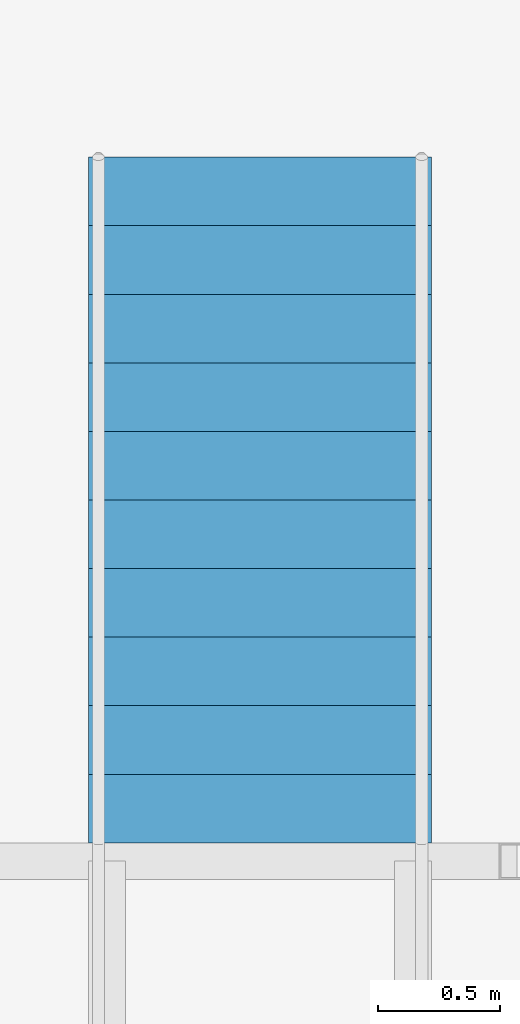
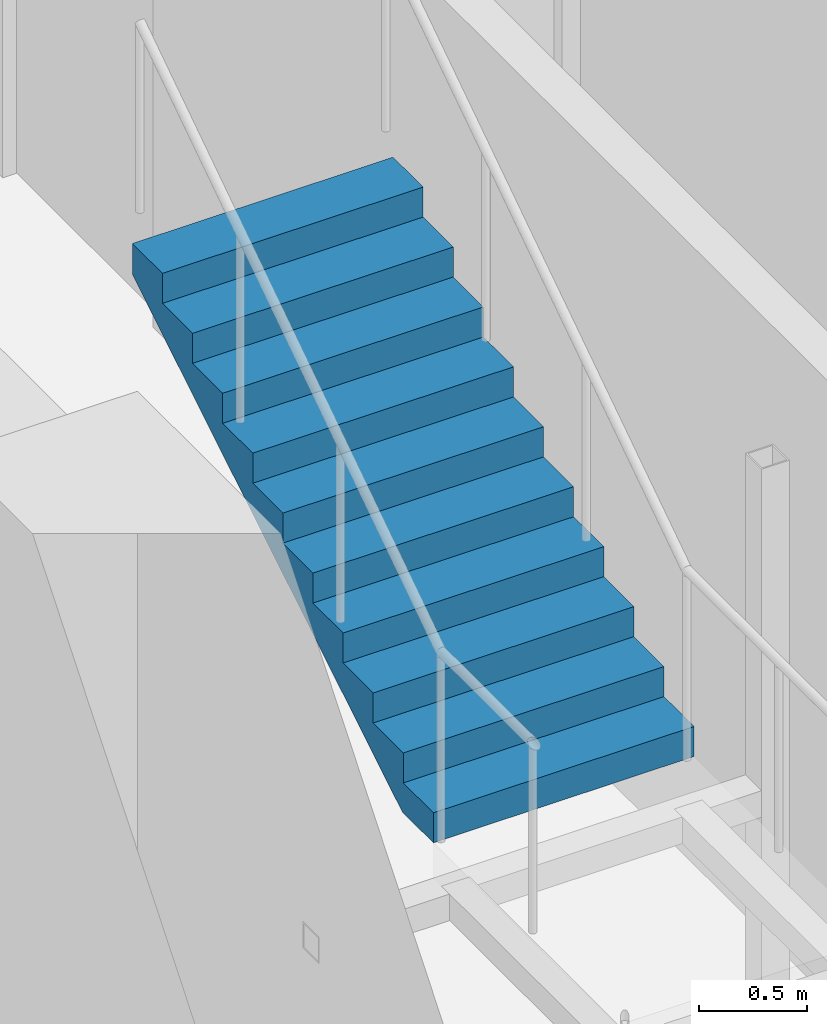
# One storey, part 25 of 28: 1 stair flight, 1 element without a shape of its own.
"""IFC4 building model written with IfcOpenShell, lengths in metres."""

import ifcopenshell
import ifcopenshell.guid

model = None  # the IFC model being written
_history = None  # IfcOwnerHistory: only IFC2X3 demands one
_inside = {}  # id of a spatial element -> (the spatial element, [elements in it])
_under = {}  # id of a project, library or spatial element -> (it, [spatial elements below it])
_declared = {}  # id of a project -> (the project, [libraries it declares])
_typed = {}  # id of a type object -> (the type object, [elements of that type])
_made_of = {}  # id of a material, layer set ... -> (it, [elements and type objects made of it])


def new_model(schema):
    """Start an empty IFC model of exactly this schema.

    Asked for "IFC4X3", IfcOpenShell would pick the latest addendum, in which some entities
    have other attributes; the version numbers below select the first issue.
    IFC2X3 requires an IfcOwnerHistory on every rooted entity: one is made here for all.
    """
    global model, _history
    if schema == "IFC4X3":
        model = ifcopenshell.file(schema_version=(4, 3, 0, 0))
    else:
        model = ifcopenshell.file(schema=schema)
    _inside.clear()
    _under.clear()
    _declared.clear()
    _typed.clear()
    _made_of.clear()
    _history = None
    if model.schema == "IFC2X3":
        org = make("IfcOrganization", Name="unknown")
        user = make(
            "IfcPersonAndOrganization",
            ThePerson=make("IfcPerson", FamilyName="unknown"),
            TheOrganization=org,
        )
        app = make(
            "IfcApplication",
            ApplicationDeveloper=org,
            Version="unknown",
            ApplicationFullName="unknown",
            ApplicationIdentifier="unknown",
        )
        _history = make(
            "IfcOwnerHistory",
            OwningUser=user,
            OwningApplication=app,
            ChangeAction="ADDED",
            CreationDate=0,
        )
    return model


def make(cls, **values):
    """One entity of the class cls with the attributes given. An attribute that is None is left unset."""
    return model.create_entity(
        cls, **{name: value for name, value in values.items() if value is not None}
    )


def rooted(cls, **values):
    """An entity with a GlobalId (a new one), such as an element, a storey or a relation."""
    return make(cls, GlobalId=ifcopenshell.guid.new(), OwnerHistory=_history, **values)


def si_unit(unit_type, name, prefix=None):
    """IfcSIUnit, for example si_unit("LENGTHUNIT", "METRE", prefix="MILLI")."""
    return make("IfcSIUnit", UnitType=unit_type, Prefix=prefix, Name=name)


def assignment(units):
    """IfcUnitAssignment: the units of a project."""
    return None if units is None else make("IfcUnitAssignment", Units=units)


def point(xyz):
    """IfcCartesianPoint."""
    return None if xyz is None else make("IfcCartesianPoint", Coordinates=xyz)


def direction(xyz):
    """IfcDirection."""
    return None if xyz is None else make("IfcDirection", DirectionRatios=xyz)


def frame(location, z_axis=None, x_axis=None):
    """IfcAxis2Placement3D, a coordinate frame: its origin and axes. An axis left out is left unset."""
    return make(
        "IfcAxis2Placement3D",
        Location=point(location),
        Axis=direction(z_axis),
        RefDirection=direction(x_axis),
    )


def origin():
    """The frame at (0, 0, 0) with its axes left unset."""
    return frame((0.0, 0.0, 0.0))


def place(relative_to, where):
    """IfcLocalPlacement: puts the frame where relative to a parent placement (None: the world)."""
    return make(
        "IfcLocalPlacement", PlacementRelTo=relative_to, RelativePlacement=where
    )


def context(
    kind, dimensions, precision=None, world=None, true_north=None, identifier=None
):
    """IfcGeometricRepresentationContext, for example the 3D "Model" context."""
    return make(
        "IfcGeometricRepresentationContext",
        ContextIdentifier=identifier,
        ContextType=kind,
        CoordinateSpaceDimension=dimensions,
        Precision=precision,
        WorldCoordinateSystem=world,
        TrueNorth=true_north,
    )


def subcontext(parent, identifier, kind, view, scale=None):
    """IfcGeometricRepresentationSubContext, for example "Body" below "Model"."""
    return make(
        "IfcGeometricRepresentationSubContext",
        ContextIdentifier=identifier,
        ContextType=kind,
        ParentContext=parent,
        TargetScale=scale,
        TargetView=view,
    )


def project(units=None, contexts=None):
    """IfcProject with its units and contexts."""
    return rooted(
        "IfcProject",
        Name="project",
        RepresentationContexts=contexts,
        UnitsInContext=assignment(units),
    )


def spatial(cls, under=None, at=None, **own):
    """A site, building, storey or space (cls), placed at a placement, below another one or the project."""
    s = rooted(cls, ObjectPlacement=at, **own)
    if under is not None:
        _under.setdefault(under.id(), (under, []))[1].append(s)
    return s


def point_list(points):
    """IfcCartesianPointList2D or 3D."""
    cls = (
        "IfcCartesianPointList2D" if len(points[0]) == 2 else "IfcCartesianPointList3D"
    )
    return make(cls, CoordList=points)


def triangles(points, corners, closed=None, point_numbers=None):
    """IfcTriangulatedFaceSet: each triangle names its three corners, points numbered from 1."""
    return make(
        "IfcTriangulatedFaceSet",
        Coordinates=point_list(points),
        Closed=closed,
        CoordIndex=corners,
        PnIndex=point_numbers,
    )


def shape(context_of_items, identifier, shape_type, items):
    """IfcShapeRepresentation: the items that make up one representation, for example the "Body"."""
    return make(
        "IfcShapeRepresentation",
        ContextOfItems=context_of_items,
        RepresentationIdentifier=identifier,
        RepresentationType=shape_type,
        Items=items,
    )


def material(Name=None, Category=None):
    """IfcMaterial."""
    return make("IfcMaterial", Name=Name, Category=Category)


def made_of(thing, what):
    """Note that an element or type object is made of a material, layer set ...; save() writes the relation."""
    if what is not None:
        _made_of.setdefault(what.id(), (what, []))[1].append(thing)
    return thing


def type_object(cls, material=None, **own):
    """A type object (cls), such as IfcWallType, which elements share."""
    return made_of(rooted(cls, **own), material)


def element(
    cls,
    number,
    at=None,
    inside=None,
    cuts=None,
    type_object=None,
    material=None,
    context=None,
    identifier="Body",
    shape_type=None,
    held_by="IfcProductDefinitionShape",
    body=None,
    shapes=None,
    **own,
):
    """One element of the class cls, such as IfcWall. Its Tag is "e" and its number.

    at: its placement. inside: the storey or other place that contains it. cuts: it is an
    opening in that element (IfcRelVoidsElement). A single representation is given by context,
    identifier, shape_type and body (its items); several are given by shapes. held_by: the class
    of the entity that holds the representations. save() writes the other relations.
    """
    e = rooted(cls, Tag="e%d" % number, ObjectPlacement=at, **own)
    if body is not None:
        shapes = [shape(context, identifier, shape_type, body)]
    if shapes is not None:
        e.Representation = make(held_by, Representations=shapes)
    if inside is not None:
        _inside.setdefault(inside.id(), (inside, []))[1].append(e)
    if cuts is not None:
        rooted(
            "IfcRelVoidsElement", RelatingBuildingElement=cuts, RelatedOpeningElement=e
        )
    if type_object is not None:
        _typed.setdefault(type_object.id(), (type_object, []))[1].append(e)
    return made_of(e, material)


def aggregate(whole, parts):
    """IfcRelAggregates: a whole, such as a stair, and the parts it consists of."""
    return rooted("IfcRelAggregates", RelatingObject=whole, RelatedObjects=parts)


def save(model, path):
    """Write the relations noted so far, then the file.

    IfcRelAggregates (storeys below a building ...), IfcRelContainedInSpatialStructure (elements
    in a storey), IfcRelDefinesByType, IfcRelAssociatesMaterial and IfcRelDeclares: one each for
    every whole, place, type object, material and project.
    """
    for whole, parts in _under.values():
        aggregate(whole, parts)
    for where, things in _inside.values():
        rooted(
            "IfcRelContainedInSpatialStructure",
            RelatedElements=things,
            RelatingStructure=where,
        )
    for kind, things in _typed.values():
        rooted("IfcRelDefinesByType", RelatedObjects=things, RelatingType=kind)
    for what, things in _made_of.values():
        rooted("IfcRelAssociatesMaterial", RelatedObjects=things, RelatingMaterial=what)
    for by, libraries in _declared.values():
        rooted("IfcRelDeclares", RelatingContext=by, RelatedDefinitions=libraries)
    model.write(path)


model = new_model("IFC4")

# Units and contexts
model_context = context("Model", 3, precision=1e-05, world=origin(), true_north=direction((0.0, 1.0)))
body_context = subcontext(model_context, "Body", "Model", "MODEL_VIEW")
ifc_project = project(units=[si_unit("LENGTHUNIT", "METRE"), si_unit("AREAUNIT", "SQUARE_METRE"), si_unit("VOLUMEUNIT", "CUBIC_METRE"), si_unit("PLANEANGLEUNIT", "RADIAN"), si_unit("MASSUNIT", "GRAM", prefix="KILO")], contexts=[model_context])

# Site, building, storey
site_placement = place(None, origin())
site = spatial("IfcSite", under=ifc_project, at=site_placement, CompositionType="ELEMENT")
building_placement = place(site_placement, origin())
building = spatial("IfcBuilding", under=site, at=building_placement, Name="Orbita Commons", CompositionType="ELEMENT")
storey_placement = place(building_placement, frame((0.0, 0.0, 216.550048828125)))
storey = spatial("IfcBuildingStorey", under=building, at=storey_placement, Name="L53", CompositionType="ELEMENT", Elevation=216.550048828125)

# Stair, stair flight
ifc_material_1 = material(Name="Steel ASTM A992 stringers, precast concrete C40/50 terrazzo treads", Category="concrete")
stair_type = type_object("IfcStairType", Name="Feature stair 22 risers 170 x 280 x 1400", PredefinedType="STRAIGHT_RUN_STAIR", material=ifc_material_1)
stair_placement = place(storey_placement, origin())
stair = element("IfcStair", 1, at=stair_placement, inside=storey, type_object=stair_type, Name="Neighbourhood stair L53 to L54", PredefinedType="STRAIGHT_RUN_STAIR")
ifc_material_2 = material(Name="Steel ASTM A992 stringers, precast concrete C40/50 terrazzo treads", Category="concrete")
stair_flight_type = type_object("IfcStairFlightType", Name="Feature stair flight 11 risers 170 x 1400", PredefinedType="STRAIGHT", material=ifc_material_2)
stair_flight_placement = place(storey_placement, frame((13.89990234375, 39.159912109375, 1.875), z_axis=(0.0, 0.0, 1.0), x_axis=(0.0, 1.0, 0.0)))
stair_flight = element("IfcStairFlight", 2, at=stair_flight_placement, type_object=stair_flight_type, Name="FS flight 2", NumberOfRisers=11, NumberOfTreads=10, PredefinedType="STRAIGHT", RiserHeight=0.170454545, TreadLength=0.28, context=body_context, shape_type="Tessellation", body=[
    triangles([(0.0, 0.699951, 0.0), (0.0, 0.699951, 0.021307), (0.0, 0.583293, 0.021307), (0.0, 0.583293, 0.0), (0.0, 0.466634, 0.021307), (0.0, 0.466634, 0.0), (0.0, 0.349976, 0.021307), (0.0, 0.349976, 0.0), (0.0, 0.233317, 0.021307), (0.0, 0.233317, 0.0), (0.0, 0.116659, 0.021307), (0.0, 0.116659, 0.0), (0.0, 0.0, 0.021307), (0.0, 0.0, 0.0), (0.0, -0.116659, 0.021307), (0.0, -0.116659, 0.0), (0.0, -0.233317, 0.021307), (0.0, -0.233317, 0.0), (0.0, -0.349976, 0.021307), (0.0, -0.349976, 0.0), (0.0, -0.466634, 0.021307), (0.0, -0.466634, 0.0), (0.0, -0.583293, 0.021307), (0.0, -0.583293, 0.0), (0.0, -0.699951, 0.021307), (0.0, -0.699951, 0.0), (0.0, 0.699951, 0.042614), (0.0, 0.583293, 0.042614), (0.0, 0.466634, 0.042614), (0.0, 0.349976, 0.042614), (0.0, 0.233317, 0.042614), (0.0, 0.116659, 0.042614), (0.0, 0.0, 0.042614), (0.0, -0.116659, 0.042614), (0.0, -0.233317, 0.042614), (0.0, -0.349976, 0.042614), (0.0, -0.466634, 0.042614), (0.0, -0.583293, 0.042614), (0.0, -0.699951, 0.042614), (0.0, 0.699951, 0.06392), (0.0, 0.583293, 0.06392), (0.0, 0.466634, 0.06392), (0.0, 0.349976, 0.06392), (0.0, 0.233317, 0.06392), (0.0, 0.116659, 0.06392), (0.0, 0.0, 0.06392), (0.0, -0.116659, 0.06392), (0.0, -0.233317, 0.06392), (0.0, -0.349976, 0.06392), (0.0, -0.466634, 0.06392), (0.0, -0.583293, 0.06392), (0.0, -0.699951, 0.06392), (0.0, 0.699951, 0.085227), (0.0, 0.583293, 0.085227), (0.0, 0.466634, 0.085227), (0.0, 0.349976, 0.085227), (0.0, 0.233317, 0.085227), (0.0, 0.116659, 0.085227), (0.0, 0.0, 0.085227), (0.0, -0.116659, 0.085227), (0.0, -0.233317, 0.085227), (0.0, -0.349976, 0.085227), (0.0, -0.466634, 0.085227), (0.0, -0.583293, 0.085227), (0.0, -0.699951, 0.085227), (0.0, 0.699951, 0.106534), (0.0, 0.583293, 0.106534), (0.0, 0.466634, 0.106534), (0.0, 0.349976, 0.106534), (0.0, 0.233317, 0.106534), (0.0, 0.116659, 0.106534), (0.0, 0.0, 0.106534), (0.0, -0.116659, 0.106534), (0.0, -0.233317, 0.106534), (0.0, -0.349976, 0.106534), (0.0, -0.466634, 0.106534), (0.0, -0.583293, 0.106534), (0.0, -0.699951, 0.106534), (0.0, 0.699951, 0.127841), (0.0, 0.583293, 0.127841), (0.0, 0.466634, 0.127841), (0.0, 0.349976, 0.127841), (0.0, 0.233317, 0.127841), (0.0, 0.116659, 0.127841), (0.0, 0.0, 0.127841), (0.0, -0.116659, 0.127841), (0.0, -0.233317, 0.127841), (0.0, -0.349976, 0.127841), (0.0, -0.466634, 0.127841), (0.0, -0.583293, 0.127841), (0.0, -0.699951, 0.127841), (0.0, 0.699951, 0.149148), (0.0, 0.583293, 0.149148), (0.0, 0.466634, 0.149148), (0.0, 0.349976, 0.149148), (0.0, 0.233317, 0.149148), (0.0, 0.116659, 0.149148), (0.0, 0.0, 0.149148), (0.0, -0.116659, 0.149148), (0.0, -0.233317, 0.149148), (0.0, -0.349976, 0.149148), (0.0, -0.466634, 0.149148), (0.0, -0.583293, 0.149148), (0.0, -0.699951, 0.149148), (0.0, 0.699951, 0.170455), (0.0, 0.583293, 0.170455), (0.0, 0.466634, 0.170455), (0.0, 0.349976, 0.170455), (0.0, 0.233317, 0.170455), (0.0, 0.116659, 0.170455), (0.0, 0.0, 0.170455), (0.0, -0.116659, 0.170455), (0.0, -0.233317, 0.170455), (0.0, -0.349976, 0.170455), (0.0, -0.466634, 0.170455), (0.0, -0.583293, 0.170455), (0.0, -0.699951, 0.170455), (0.28, 0.699951, 0.170455), (0.28, 0.583293, 0.170455), (0.28, 0.466634, 0.170455), (0.28, 0.349976, 0.170455), (0.28, 0.233317, 0.170455), (0.28, 0.116659, 0.170455), (0.28, 0.0, 0.170455), (0.28, -0.116659, 0.170455), (0.28, -0.233317, 0.170455), (0.28, -0.349976, 0.170455), (0.28, -0.466634, 0.170455), (0.28, -0.583293, 0.170455), (0.28, -0.699951, 0.170455), (0.28, 0.699951, 0.340909), (0.28, 0.583293, 0.340909), (0.28, 0.466634, 0.340909), (0.28, 0.349976, 0.340909), (0.28, 0.233317, 0.340909), (0.28, 0.116659, 0.340909), (0.28, 0.0, 0.340909), (0.28, -0.116659, 0.340909), (0.28, -0.233317, 0.340909), (0.28, -0.349976, 0.340909), (0.28, -0.466634, 0.340909), (0.28, -0.583293, 0.340909), (0.28, -0.699951, 0.340909), (0.56, 0.699951, 0.340909), (0.56, 0.583293, 0.340909), (0.56, 0.466634, 0.340909), (0.56, 0.349976, 0.340909), (0.56, 0.233317, 0.340909), (0.56, 0.116659, 0.340909), (0.56, 0.0, 0.340909), (0.56, -0.116659, 0.340909), (0.56, -0.233317, 0.340909), (0.56, -0.349976, 0.340909), (0.56, -0.466634, 0.340909), (0.56, -0.583293, 0.340909), (0.56, -0.699951, 0.340909), (0.56, 0.699951, 0.511364), (0.56, 0.583293, 0.511364), (0.56, 0.466634, 0.511364), (0.56, 0.349976, 0.511364), (0.56, 0.233317, 0.511364), (0.56, 0.116659, 0.511364), (0.56, 0.0, 0.511364), (0.56, -0.116659, 0.511364), (0.56, -0.233317, 0.511364), (0.56, -0.349976, 0.511364), (0.56, -0.466634, 0.511364), (0.56, -0.583293, 0.511364), (0.56, -0.699951, 0.511364), (0.84, 0.699951, 0.511364), (0.84, 0.583293, 0.511364), (0.84, 0.466634, 0.511364), (0.84, 0.349976, 0.511364), (0.84, 0.233317, 0.511364), (0.84, 0.116659, 0.511364), (0.84, 0.0, 0.511364), (0.84, -0.116659, 0.511364), (0.84, -0.233317, 0.511364), (0.84, -0.349976, 0.511364), (0.84, -0.466634, 0.511364), (0.84, -0.583293, 0.511364), (0.84, -0.699951, 0.511364), (0.84, 0.699951, 0.681818), (0.84, 0.583293, 0.681818), (0.84, 0.466634, 0.681818), (0.84, 0.349976, 0.681818), (0.84, 0.233317, 0.681818), (0.84, 0.116659, 0.681818), (0.84, 0.0, 0.681818), (0.84, -0.116659, 0.681818), (0.84, -0.233317, 0.681818), (0.84, -0.349976, 0.681818), (0.84, -0.466634, 0.681818), (0.84, -0.583293, 0.681818), (0.84, -0.699951, 0.681818), (1.12, 0.699951, 0.681818), (1.12, 0.583293, 0.681818), (1.12, 0.466634, 0.681818), (1.12, 0.349976, 0.681818), (1.12, 0.233317, 0.681818), (1.12, 0.116659, 0.681818), (1.12, 0.0, 0.681818), (1.12, -0.116659, 0.681818), (1.12, -0.233317, 0.681818), (1.12, -0.349976, 0.681818), (1.12, -0.466634, 0.681818), (1.12, -0.583293, 0.681818), (1.12, -0.699951, 0.681818), (1.12, 0.699951, 0.852273), (1.12, 0.583293, 0.852273), (1.12, 0.466634, 0.852273), (1.12, 0.349976, 0.852273), (1.12, 0.233317, 0.852273), (1.12, 0.116659, 0.852273), (1.12, 0.0, 0.852273), (1.12, -0.116659, 0.852273), (1.12, -0.233317, 0.852273), (1.12, -0.349976, 0.852273), (1.12, -0.466634, 0.852273), (1.12, -0.583293, 0.852273), (1.12, -0.699951, 0.852273), (1.4, 0.699951, 0.852273), (1.4, 0.583293, 0.852273), (1.4, 0.466634, 0.852273), (1.4, 0.349976, 0.852273), (1.4, 0.233317, 0.852273), (1.4, 0.116659, 0.852273), (1.4, 0.0, 0.852273), (1.4, -0.116659, 0.852273), (1.4, -0.233317, 0.852273), (1.4, -0.349976, 0.852273), (1.4, -0.466634, 0.852273), (1.4, -0.583293, 0.852273), (1.4, -0.699951, 0.852273), (1.4, 0.699951, 1.022727), (1.4, 0.583293, 1.022727), (1.4, 0.466634, 1.022727), (1.4, 0.349976, 1.022727), (1.4, 0.233317, 1.022727), (1.4, 0.116659, 1.022727), (1.4, 0.0, 1.022727), (1.4, -0.116659, 1.022727), (1.4, -0.233317, 1.022727), (1.4, -0.349976, 1.022727), (1.4, -0.466634, 1.022727), (1.4, -0.583293, 1.022727), (1.4, -0.699951, 1.022727), (1.68, 0.699951, 1.022727), (1.68, 0.583293, 1.022727), (1.68, 0.466634, 1.022727), (1.68, 0.349976, 1.022727), (1.68, 0.233317, 1.022727), (1.68, 0.116659, 1.022727), (1.68, 0.0, 1.022727), (1.68, -0.116659, 1.022727), (1.68, -0.233317, 1.022727), (1.68, -0.349976, 1.022727), (1.68, -0.466634, 1.022727), (1.68, -0.583293, 1.022727), (1.68, -0.699951, 1.022727), (1.68, 0.699951, 1.193182), (1.68, 0.583293, 1.193182), (1.68, 0.466634, 1.193182), (1.68, 0.349976, 1.193182), (1.68, 0.233317, 1.193182), (1.68, 0.116659, 1.193182), (1.68, 0.0, 1.193182), (1.68, -0.116659, 1.193182), (1.68, -0.233317, 1.193182), (1.68, -0.349976, 1.193182), (1.68, -0.466634, 1.193182), (1.68, -0.583293, 1.193182), (1.68, -0.699951, 1.193182), (1.96, 0.699951, 1.193182), (1.96, 0.583293, 1.193182), (1.96, 0.466634, 1.193182), (1.96, 0.349976, 1.193182), (1.96, 0.233317, 1.193182), (1.96, 0.116659, 1.193182), (1.96, 0.0, 1.193182), (1.96, -0.116659, 1.193182), (1.96, -0.233317, 1.193182), (1.96, -0.349976, 1.193182), (1.96, -0.466634, 1.193182), (1.96, -0.583293, 1.193182), (1.96, -0.699951, 1.193182), (1.96, 0.699951, 1.363636), (1.96, 0.583293, 1.363636), (1.96, 0.466634, 1.363636), (1.96, 0.349976, 1.363636), (1.96, 0.233317, 1.363636), (1.96, 0.116659, 1.363636), (1.96, 0.0, 1.363636), (1.96, -0.116659, 1.363636), (1.96, -0.233317, 1.363636), (1.96, -0.349976, 1.363636), (1.96, -0.466634, 1.363636), (1.96, -0.583293, 1.363636), (1.96, -0.699951, 1.363636), (2.24, 0.699951, 1.363636), (2.24, 0.583293, 1.363636), (2.24, 0.466634, 1.363636), (2.24, 0.349976, 1.363636), (2.24, 0.233317, 1.363636), (2.24, 0.116659, 1.363636), (2.24, 0.0, 1.363636), (2.24, -0.116659, 1.363636), (2.24, -0.233317, 1.363636), (2.24, -0.349976, 1.363636), (2.24, -0.466634, 1.363636), (2.24, -0.583293, 1.363636), (2.24, -0.699951, 1.363636), (2.24, 0.699951, 1.534091), (2.24, 0.583293, 1.534091), (2.24, 0.466634, 1.534091), (2.24, 0.349976, 1.534091), (2.24, 0.233317, 1.534091), (2.24, 0.116659, 1.534091), (2.24, 0.0, 1.534091), (2.24, -0.116659, 1.534091), (2.24, -0.233317, 1.534091), (2.24, -0.349976, 1.534091), (2.24, -0.466634, 1.534091), (2.24, -0.583293, 1.534091), (2.24, -0.699951, 1.534091), (2.52, 0.699951, 1.534091), (2.52, 0.583293, 1.534091), (2.52, 0.466634, 1.534091), (2.52, 0.349976, 1.534091), (2.52, 0.233317, 1.534091), (2.52, 0.116659, 1.534091), (2.52, 0.0, 1.534091), (2.52, -0.116659, 1.534091), (2.52, -0.233317, 1.534091), (2.52, -0.349976, 1.534091), (2.52, -0.466634, 1.534091), (2.52, -0.583293, 1.534091), (2.52, -0.699951, 1.534091), (2.52, 0.699951, 1.704545), (2.52, 0.583293, 1.704545), (2.52, 0.466634, 1.704545), (2.52, 0.349976, 1.704545), (2.52, 0.233317, 1.704545), (2.52, 0.116659, 1.704545), (2.52, 0.0, 1.704545), (2.52, -0.116659, 1.704545), (2.52, -0.233317, 1.704545), (2.52, -0.349976, 1.704545), (2.52, -0.466634, 1.704545), (2.52, -0.583293, 1.704545), (2.52, -0.699951, 1.704545), (2.8, 0.699951, 1.704545), (2.8, 0.583293, 1.704545), (2.8, 0.466634, 1.704545), (2.8, 0.349976, 1.704545), (2.8, 0.233317, 1.704545), (2.8, 0.116659, 1.704545), (2.8, 0.0, 1.704545), (2.8, -0.116659, 1.704545), (2.8, -0.233317, 1.704545), (2.8, -0.349976, 1.704545), (2.8, -0.466634, 1.704545), (2.8, -0.583293, 1.704545), (2.8, -0.699951, 1.704545), (2.8, 0.699951, 1.682609), (2.8, 0.583293, 1.682609), (2.8, 0.466634, 1.682609), (2.8, 0.349976, 1.682609), (2.8, 0.233317, 1.682609), (2.8, 0.116659, 1.682609), (2.8, 0.0, 1.682609), (2.8, -0.116659, 1.682609), (2.8, -0.233317, 1.682609), (2.8, -0.349976, 1.682609), (2.8, -0.466634, 1.682609), (2.8, -0.583293, 1.682609), (2.8, -0.699951, 1.682609), (2.8, 0.699951, 1.660672), (2.8, 0.583293, 1.660672), (2.8, 0.466634, 1.660672), (2.8, 0.349976, 1.660672), (2.8, 0.233317, 1.660672), (2.8, 0.116659, 1.660672), (2.8, 0.0, 1.660672), (2.8, -0.116659, 1.660672), (2.8, -0.233317, 1.660672), (2.8, -0.349976, 1.660672), (2.8, -0.466634, 1.660672), (2.8, -0.583293, 1.660672), (2.8, -0.699951, 1.660672), (2.8, 0.699951, 1.638735), (2.8, 0.583293, 1.638735), (2.8, 0.466634, 1.638735), (2.8, 0.349976, 1.638735), (2.8, 0.233317, 1.638735), (2.8, 0.116659, 1.638735), (2.8, 0.0, 1.638735), (2.8, -0.116659, 1.638735), (2.8, -0.233317, 1.638735), (2.8, -0.349976, 1.638735), (2.8, -0.466634, 1.638735), (2.8, -0.583293, 1.638735), (2.8, -0.699951, 1.638735), (2.8, 0.699951, 1.616798), (2.8, 0.583293, 1.616798), (2.8, 0.466634, 1.616798), (2.8, 0.349976, 1.616798), (2.8, 0.233317, 1.616798), (2.8, 0.116659, 1.616798), (2.8, 0.0, 1.616798), (2.8, -0.116659, 1.616798), (2.8, -0.233317, 1.616798), (2.8, -0.349976, 1.616798), (2.8, -0.466634, 1.616798), (2.8, -0.583293, 1.616798), (2.8, -0.699951, 1.616798), (2.8, 0.699951, 1.594861), (2.8, 0.583293, 1.594861), (2.8, 0.466634, 1.594861), (2.8, 0.349976, 1.594861), (2.8, 0.233317, 1.594861), (2.8, 0.116659, 1.594861), (2.8, 0.0, 1.594861), (2.8, -0.116659, 1.594861), (2.8, -0.233317, 1.594861), (2.8, -0.349976, 1.594861), (2.8, -0.466634, 1.594861), (2.8, -0.583293, 1.594861), (2.8, -0.699951, 1.594861), (2.8, 0.699951, 1.572925), (2.8, 0.583293, 1.572925), (2.8, 0.466634, 1.572925), (2.8, 0.349976, 1.572925), (2.8, 0.233317, 1.572925), (2.8, 0.116659, 1.572925), (2.8, 0.0, 1.572925), (2.8, -0.116659, 1.572925), (2.8, -0.233317, 1.572925), (2.8, -0.349976, 1.572925), (2.8, -0.466634, 1.572925), (2.8, -0.583293, 1.572925), (2.8, -0.699951, 1.572925), (2.8, 0.699951, 1.550988), (2.8, 0.583293, 1.550988), (2.8, 0.466634, 1.550988), (2.8, 0.349976, 1.550988), (2.8, 0.233317, 1.550988), (2.8, 0.116659, 1.550988), (2.8, 0.0, 1.550988), (2.8, -0.116659, 1.550988), (2.8, -0.233317, 1.550988), (2.8, -0.349976, 1.550988), (2.8, -0.466634, 1.550988), (2.8, -0.583293, 1.550988), (2.8, -0.699951, 1.550988), (2.8, 0.699951, 1.529051), (2.8, 0.583293, 1.529051), (2.8, 0.466634, 1.529051), (2.8, 0.349976, 1.529051), (2.8, 0.233317, 1.529051), (2.8, 0.116659, 1.529051), (2.8, 0.0, 1.529051), (2.8, -0.116659, 1.529051), (2.8, -0.233317, 1.529051), (2.8, -0.349976, 1.529051), (2.8, -0.466634, 1.529051), (2.8, -0.583293, 1.529051), (2.8, -0.699951, 1.529051), (0.288279, 0.699951, 0.0), (0.288279, 0.583293, 0.0), (0.288279, 0.466634, 0.0), (0.288279, 0.349976, 0.0), (0.288279, 0.233317, 0.0), (0.288279, 0.116659, 0.0), (0.288279, 0.0, 0.0), (0.288279, -0.116659, 0.0), (0.288279, -0.233317, 0.0), (0.288279, -0.349976, 0.0), (0.288279, -0.466634, 0.0), (0.288279, -0.583293, 0.0), (0.288279, -0.699951, 0.0)], [[3, 2, 1], [4, 3, 1], [5, 3, 4], [6, 5, 4], [7, 5, 6], [8, 7, 6], [9, 7, 8], [10, 9, 8], [11, 9, 10], [12, 11, 10], [13, 11, 12], [14, 13, 12], [15, 13, 14], [16, 15, 14], [17, 15, 16], [18, 17, 16], [19, 17, 18], [20, 19, 18], [21, 19, 20], [22, 21, 20], [23, 21, 22], [24, 23, 22], [25, 23, 24], [26, 25, 24], [28, 27, 2], [3, 28, 2], [29, 28, 3], [5, 29, 3], [30, 29, 5], [7, 30, 5], [31, 30, 7], [9, 31, 7], [32, 31, 9], [11, 32, 9], [33, 32, 11], [13, 33, 11], [34, 33, 13], [15, 34, 13], [35, 34, 15], [17, 35, 15], [36, 35, 17], [19, 36, 17], [37, 36, 19], [21, 37, 19], [38, 37, 21], [23, 38, 21], [39, 38, 23], [25, 39, 23], [41, 40, 27], [28, 41, 27], [42, 41, 28], [29, 42, 28], [43, 42, 29], [30, 43, 29], [44, 43, 30], [31, 44, 30], [45, 44, 31], [32, 45, 31], [46, 45, 32], [33, 46, 32], [47, 46, 33], [34, 47, 33], [48, 47, 34], [35, 48, 34], [49, 48, 35], [36, 49, 35], [50, 49, 36], [37, 50, 36], [51, 50, 37], [38, 51, 37], [52, 51, 38], [39, 52, 38], [54, 53, 40], [41, 54, 40], [55, 54, 41], [42, 55, 41], [56, 55, 42], [43, 56, 42], [57, 56, 43], [44, 57, 43], [58, 57, 44], [45, 58, 44], [59, 58, 45], [46, 59, 45], [60, 59, 46], [47, 60, 46], [61, 60, 47], [48, 61, 47], [62, 61, 48], [49, 62, 48], [63, 62, 49], [50, 63, 49], [64, 63, 50], [51, 64, 50], [65, 64, 51], [52, 65, 51], [67, 66, 53], [54, 67, 53], [68, 67, 54], [55, 68, 54], [69, 68, 55], [56, 69, 55], [70, 69, 56], [57, 70, 56], [71, 70, 57], [58, 71, 57], [72, 71, 58], [59, 72, 58], [73, 72, 59], [60, 73, 59], [74, 73, 60], [61, 74, 60], [75, 74, 61], [62, 75, 61], [76, 75, 62], [63, 76, 62], [77, 76, 63], [64, 77, 63], [78, 77, 64], [65, 78, 64], [80, 79, 66], [67, 80, 66], [81, 80, 67], [68, 81, 67], [82, 81, 68], [69, 82, 68], [83, 82, 69], [70, 83, 69], [84, 83, 70], [71, 84, 70], [85, 84, 71], [72, 85, 71], [86, 85, 72], [73, 86, 72], [87, 86, 73], [74, 87, 73], [88, 87, 74], [75, 88, 74], [89, 88, 75], [76, 89, 75], [90, 89, 76], [77, 90, 76], [91, 90, 77], [78, 91, 77], [93, 92, 79], [80, 93, 79], [94, 93, 80], [81, 94, 80], [95, 94, 81], [82, 95, 81], [96, 95, 82], [83, 96, 82], [97, 96, 83], [84, 97, 83], [98, 97, 84], [85, 98, 84], [99, 98, 85], [86, 99, 85], [100, 99, 86], [87, 100, 86], [101, 100, 87], [88, 101, 87], [102, 101, 88], [89, 102, 88], [103, 102, 89], [90, 103, 89], [104, 103, 90], [91, 104, 90], [106, 105, 92], [93, 106, 92], [107, 106, 93], [94, 107, 93], [108, 107, 94], [95, 108, 94], [109, 108, 95], [96, 109, 95], [110, 109, 96], [97, 110, 96], [111, 110, 97], [98, 111, 97], [112, 111, 98], [99, 112, 98], [113, 112, 99], [100, 113, 99], [114, 113, 100], [101, 114, 100], [115, 114, 101], [102, 115, 101], [116, 115, 102], [103, 116, 102], [117, 116, 103], [104, 117, 103], [119, 118, 105], [106, 119, 105], [120, 119, 106], [107, 120, 106], [121, 120, 107], [108, 121, 107], [122, 121, 108], [109, 122, 108], [123, 122, 109], [110, 123, 109], [124, 123, 110], [111, 124, 110], [125, 124, 111], [112, 125, 111], [126, 125, 112], [113, 126, 112], [127, 126, 113], [114, 127, 113], [128, 127, 114], [115, 128, 114], [129, 128, 115], [116, 129, 115], [130, 129, 116], [117, 130, 116], [132, 131, 118], [119, 132, 118], [133, 132, 119], [120, 133, 119], [134, 133, 120], [121, 134, 120], [135, 134, 121], [122, 135, 121], [136, 135, 122], [123, 136, 122], [137, 136, 123], [124, 137, 123], [138, 137, 124], [125, 138, 124], [139, 138, 125], [126, 139, 125], [140, 139, 126], [127, 140, 126], [141, 140, 127], [128, 141, 127], [142, 141, 128], [129, 142, 128], [143, 142, 129], [130, 143, 129], [145, 144, 131], [132, 145, 131], [146, 145, 132], [133, 146, 132], [147, 146, 133], [134, 147, 133], [148, 147, 134], [135, 148, 134], [149, 148, 135], [136, 149, 135], [150, 149, 136], [137, 150, 136], [151, 150, 137], [138, 151, 137], [152, 151, 138], [139, 152, 138], [153, 152, 139], [140, 153, 139], [154, 153, 140], [141, 154, 140], [155, 154, 141], [142, 155, 141], [156, 155, 142], [143, 156, 142], [158, 157, 144], [145, 158, 144], [159, 158, 145], [146, 159, 145], [160, 159, 146], [147, 160, 146], [161, 160, 147], [148, 161, 147], [162, 161, 148], [149, 162, 148], [163, 162, 149], [150, 163, 149], [164, 163, 150], [151, 164, 150], [165, 164, 151], [152, 165, 151], [166, 165, 152], [153, 166, 152], [167, 166, 153], [154, 167, 153], [168, 167, 154], [155, 168, 154], [169, 168, 155], [156, 169, 155], [171, 170, 157], [158, 171, 157], [172, 171, 158], [159, 172, 158], [173, 172, 159], [160, 173, 159], [174, 173, 160], [161, 174, 160], [175, 174, 161], [162, 175, 161], [176, 175, 162], [163, 176, 162], [177, 176, 163], [164, 177, 163], [178, 177, 164], [165, 178, 164], [179, 178, 165], [166, 179, 165], [180, 179, 166], [167, 180, 166], [181, 180, 167], [168, 181, 167], [182, 181, 168], [169, 182, 168], [184, 183, 170], [171, 184, 170], [185, 184, 171], [172, 185, 171], [186, 185, 172], [173, 186, 172], [187, 186, 173], [174, 187, 173], [188, 187, 174], [175, 188, 174], [189, 188, 175], [176, 189, 175], [190, 189, 176], [177, 190, 176], [191, 190, 177], [178, 191, 177], [192, 191, 178], [179, 192, 178], [193, 192, 179], [180, 193, 179], [194, 193, 180], [181, 194, 180], [195, 194, 181], [182, 195, 181], [197, 196, 183], [184, 197, 183], [198, 197, 184], [185, 198, 184], [199, 198, 185], [186, 199, 185], [200, 199, 186], [187, 200, 186], [201, 200, 187], [188, 201, 187], [202, 201, 188], [189, 202, 188], [203, 202, 189], [190, 203, 189], [204, 203, 190], [191, 204, 190], [205, 204, 191], [192, 205, 191], [206, 205, 192], [193, 206, 192], [207, 206, 193], [194, 207, 193], [208, 207, 194], [195, 208, 194], [210, 209, 196], [197, 210, 196], [211, 210, 197], [198, 211, 197], [212, 211, 198], [199, 212, 198], [213, 212, 199], [200, 213, 199], [214, 213, 200], [201, 214, 200], [215, 214, 201], [202, 215, 201], [216, 215, 202], [203, 216, 202], [217, 216, 203], [204, 217, 203], [218, 217, 204], [205, 218, 204], [219, 218, 205], [206, 219, 205], [220, 219, 206], [207, 220, 206], [221, 220, 207], [208, 221, 207], [223, 222, 209], [210, 223, 209], [224, 223, 210], [211, 224, 210], [225, 224, 211], [212, 225, 211], [226, 225, 212], [213, 226, 212], [227, 226, 213], [214, 227, 213], [228, 227, 214], [215, 228, 214], [229, 228, 215], [216, 229, 215], [230, 229, 216], [217, 230, 216], [231, 230, 217], [218, 231, 217], [232, 231, 218], [219, 232, 218], [233, 232, 219], [220, 233, 219], [234, 233, 220], [221, 234, 220], [236, 235, 222], [223, 236, 222], [237, 236, 223], [224, 237, 223], [238, 237, 224], [225, 238, 224], [239, 238, 225], [226, 239, 225], [240, 239, 226], [227, 240, 226], [241, 240, 227], [228, 241, 227], [242, 241, 228], [229, 242, 228], [243, 242, 229], [230, 243, 229], [244, 243, 230], [231, 244, 230], [245, 244, 231], [232, 245, 231], [246, 245, 232], [233, 246, 232], [247, 246, 233], [234, 247, 233], [249, 248, 235], [236, 249, 235], [250, 249, 236], [237, 250, 236], [251, 250, 237], [238, 251, 237], [252, 251, 238], [239, 252, 238], [253, 252, 239], [240, 253, 239], [254, 253, 240], [241, 254, 240], [255, 254, 241], [242, 255, 241], [256, 255, 242], [243, 256, 242], [257, 256, 243], [244, 257, 243], [258, 257, 244], [245, 258, 244], [259, 258, 245], [246, 259, 245], [260, 259, 246], [247, 260, 246], [262, 261, 248], [249, 262, 248], [263, 262, 249], [250, 263, 249], [264, 263, 250], [251, 264, 250], [265, 264, 251], [252, 265, 251], [266, 265, 252], [253, 266, 252], [267, 266, 253], [254, 267, 253], [268, 267, 254], [255, 268, 254], [269, 268, 255], [256, 269, 255], [270, 269, 256], [257, 270, 256], [271, 270, 257], [258, 271, 257], [272, 271, 258], [259, 272, 258], [273, 272, 259], [260, 273, 259], [275, 274, 261], [262, 275, 261], [276, 275, 262], [263, 276, 262], [277, 276, 263], [264, 277, 263], [278, 277, 264], [265, 278, 264], [279, 278, 265], [266, 279, 265], [280, 279, 266], [267, 280, 266], [281, 280, 267], [268, 281, 267], [282, 281, 268], [269, 282, 268], [283, 282, 269], [270, 283, 269], [284, 283, 270], [271, 284, 270], [285, 284, 271], [272, 285, 271], [286, 285, 272], [273, 286, 272], [288, 287, 274], [275, 288, 274], [289, 288, 275], [276, 289, 275], [290, 289, 276], [277, 290, 276], [291, 290, 277], [278, 291, 277], [292, 291, 278], [279, 292, 278], [293, 292, 279], [280, 293, 279], [294, 293, 280], [281, 294, 280], [295, 294, 281], [282, 295, 281], [296, 295, 282], [283, 296, 282], [297, 296, 283], [284, 297, 283], [298, 297, 284], [285, 298, 284], [299, 298, 285], [286, 299, 285], [301, 300, 287], [288, 301, 287], [302, 301, 288], [289, 302, 288], [303, 302, 289], [290, 303, 289], [304, 303, 290], [291, 304, 290], [305, 304, 291], [292, 305, 291], [306, 305, 292], [293, 306, 292], [307, 306, 293], [294, 307, 293], [308, 307, 294], [295, 308, 294], [309, 308, 295], [296, 309, 295], [310, 309, 296], [297, 310, 296], [311, 310, 297], [298, 311, 297], [312, 311, 298], [299, 312, 298], [314, 313, 300], [301, 314, 300], [315, 314, 301], [302, 315, 301], [316, 315, 302], [303, 316, 302], [317, 316, 303], [304, 317, 303], [318, 317, 304], [305, 318, 304], [319, 318, 305], [306, 319, 305], [320, 319, 306], [307, 320, 306], [321, 320, 307], [308, 321, 307], [322, 321, 308], [309, 322, 308], [323, 322, 309], [310, 323, 309], [324, 323, 310], [311, 324, 310], [325, 324, 311], [312, 325, 311], [327, 326, 313], [314, 327, 313], [328, 327, 314], [315, 328, 314], [329, 328, 315], [316, 329, 315], [330, 329, 316], [317, 330, 316], [331, 330, 317], [318, 331, 317], [332, 331, 318], [319, 332, 318], [333, 332, 319], [320, 333, 319], [334, 333, 320], [321, 334, 320], [335, 334, 321], [322, 335, 321], [336, 335, 322], [323, 336, 322], [337, 336, 323], [324, 337, 323], [338, 337, 324], [325, 338, 324], [340, 339, 326], [327, 340, 326], [341, 340, 327], [328, 341, 327], [342, 341, 328], [329, 342, 328], [343, 342, 329], [330, 343, 329], [344, 343, 330], [331, 344, 330], [345, 344, 331], [332, 345, 331], [346, 345, 332], [333, 346, 332], [347, 346, 333], [334, 347, 333], [348, 347, 334], [335, 348, 334], [349, 348, 335], [336, 349, 335], [350, 349, 336], [337, 350, 336], [351, 350, 337], [338, 351, 337], [353, 352, 339], [340, 353, 339], [354, 353, 340], [341, 354, 340], [355, 354, 341], [342, 355, 341], [356, 355, 342], [343, 356, 342], [357, 356, 343], [344, 357, 343], [358, 357, 344], [345, 358, 344], [359, 358, 345], [346, 359, 345], [360, 359, 346], [347, 360, 346], [361, 360, 347], [348, 361, 347], [362, 361, 348], [349, 362, 348], [363, 362, 349], [350, 363, 349], [364, 363, 350], [351, 364, 350], [366, 365, 352], [353, 366, 352], [367, 366, 353], [354, 367, 353], [368, 367, 354], [355, 368, 354], [369, 368, 355], [356, 369, 355], [370, 369, 356], [357, 370, 356], [371, 370, 357], [358, 371, 357], [372, 371, 358], [359, 372, 358], [373, 372, 359], [360, 373, 359], [374, 373, 360], [361, 374, 360], [375, 374, 361], [362, 375, 361], [376, 375, 362], [363, 376, 362], [377, 376, 363], [364, 377, 363], [379, 378, 365], [366, 379, 365], [380, 379, 366], [367, 380, 366], [381, 380, 367], [368, 381, 367], [382, 381, 368], [369, 382, 368], [383, 382, 369], [370, 383, 369], [384, 383, 370], [371, 384, 370], [385, 384, 371], [372, 385, 371], [386, 385, 372], [373, 386, 372], [387, 386, 373], [374, 387, 373], [388, 387, 374], [375, 388, 374], [389, 388, 375], [376, 389, 375], [390, 389, 376], [377, 390, 376], [392, 391, 378], [379, 392, 378], [393, 392, 379], [380, 393, 379], [394, 393, 380], [381, 394, 380], [395, 394, 381], [382, 395, 381], [396, 395, 382], [383, 396, 382], [397, 396, 383], [384, 397, 383], [398, 397, 384], [385, 398, 384], [399, 398, 385], [386, 399, 385], [400, 399, 386], [387, 400, 386], [401, 400, 387], [388, 401, 387], [402, 401, 388], [389, 402, 388], [403, 402, 389], [390, 403, 389], [405, 404, 391], [392, 405, 391], [406, 405, 392], [393, 406, 392], [407, 406, 393], [394, 407, 393], [408, 407, 394], [395, 408, 394], [409, 408, 395], [396, 409, 395], [410, 409, 396], [397, 410, 396], [411, 410, 397], [398, 411, 397], [412, 411, 398], [399, 412, 398], [413, 412, 399], [400, 413, 399], [414, 413, 400], [401, 414, 400], [415, 414, 401], [402, 415, 401], [416, 415, 402], [403, 416, 402], [418, 417, 404], [405, 418, 404], [419, 418, 405], [406, 419, 405], [420, 419, 406], [407, 420, 406], [421, 420, 407], [408, 421, 407], [422, 421, 408], [409, 422, 408], [423, 422, 409], [410, 423, 409], [424, 423, 410], [411, 424, 410], [425, 424, 411], [412, 425, 411], [426, 425, 412], [413, 426, 412], [427, 426, 413], [414, 427, 413], [428, 427, 414], [415, 428, 414], [429, 428, 415], [416, 429, 415], [431, 430, 417], [418, 431, 417], [432, 431, 418], [419, 432, 418], [433, 432, 419], [420, 433, 419], [434, 433, 420], [421, 434, 420], [435, 434, 421], [422, 435, 421], [436, 435, 422], [423, 436, 422], [437, 436, 423], [424, 437, 423], [438, 437, 424], [425, 438, 424], [439, 438, 425], [426, 439, 425], [440, 439, 426], [427, 440, 426], [441, 440, 427], [428, 441, 427], [442, 441, 428], [429, 442, 428], [444, 443, 430], [431, 444, 430], [445, 444, 431], [432, 445, 431], [446, 445, 432], [433, 446, 432], [447, 446, 433], [434, 447, 433], [448, 447, 434], [435, 448, 434], [449, 448, 435], [436, 449, 435], [450, 449, 436], [437, 450, 436], [451, 450, 437], [438, 451, 437], [452, 451, 438], [439, 452, 438], [453, 452, 439], [440, 453, 439], [454, 453, 440], [441, 454, 440], [455, 454, 441], [442, 455, 441], [457, 456, 443], [444, 457, 443], [458, 457, 444], [445, 458, 444], [459, 458, 445], [446, 459, 445], [460, 459, 446], [447, 460, 446], [461, 460, 447], [448, 461, 447], [462, 461, 448], [449, 462, 448], [463, 462, 449], [450, 463, 449], [464, 463, 450], [451, 464, 450], [465, 464, 451], [452, 465, 451], [466, 465, 452], [453, 466, 452], [467, 466, 453], [454, 467, 453], [468, 467, 454], [455, 468, 454], [470, 469, 456], [457, 470, 456], [471, 470, 457], [458, 471, 457], [472, 471, 458], [459, 472, 458], [473, 472, 459], [460, 473, 459], [474, 473, 460], [461, 474, 460], [475, 474, 461], [462, 475, 461], [476, 475, 462], [463, 476, 462], [477, 476, 463], [464, 477, 463], [478, 477, 464], [465, 478, 464], [479, 478, 465], [466, 479, 465], [480, 479, 466], [467, 480, 466], [481, 480, 467], [468, 481, 467], [4, 1, 469], [470, 4, 469], [6, 4, 470], [471, 6, 470], [8, 6, 471], [472, 8, 471], [10, 8, 472], [473, 10, 472], [12, 10, 473], [474, 12, 473], [14, 12, 474], [475, 14, 474], [16, 14, 475], [476, 16, 475], [18, 16, 476], [477, 18, 476], [20, 18, 477], [478, 20, 477], [22, 20, 478], [479, 22, 478], [24, 22, 479], [480, 24, 479], [26, 24, 480], [481, 26, 480], [456, 469, 1], [26, 481, 468], [443, 456, 1], [26, 468, 455], [430, 443, 1], [26, 455, 442], [417, 430, 1], [26, 442, 429], [404, 417, 1], [26, 429, 416], [391, 404, 1], [26, 416, 403], [378, 391, 1], [26, 403, 390], [365, 378, 1], [26, 390, 377], [339, 352, 365], [377, 364, 351], [326, 339, 365], [377, 351, 338], [300, 313, 326], [338, 325, 312], [300, 326, 365], [377, 338, 312], [274, 287, 300], [312, 299, 286], [274, 300, 365], [377, 312, 286], [248, 261, 274], [286, 273, 260], [248, 274, 365], [377, 286, 260], [222, 235, 248], [260, 247, 234], [222, 248, 365], [377, 260, 234], [196, 209, 222], [234, 221, 208], [196, 222, 365], [377, 234, 208], [170, 183, 196], [208, 195, 182], [170, 196, 365], [377, 208, 182], [144, 157, 170], [182, 169, 156], [144, 170, 365], [377, 182, 156], [118, 131, 144], [156, 143, 130], [118, 144, 365], [377, 156, 130], [118, 365, 1], [26, 377, 130], [92, 105, 118], [130, 117, 104], [79, 92, 118], [130, 104, 91], [66, 79, 118], [130, 91, 78], [53, 66, 118], [130, 78, 65], [40, 53, 118], [130, 65, 52], [27, 40, 118], [130, 52, 39], [2, 27, 118], [130, 39, 25], [1, 2, 118], [130, 25, 26]], closed=True),
])
aggregate(stair, [stair_flight])

save(model, "model.ifc")
